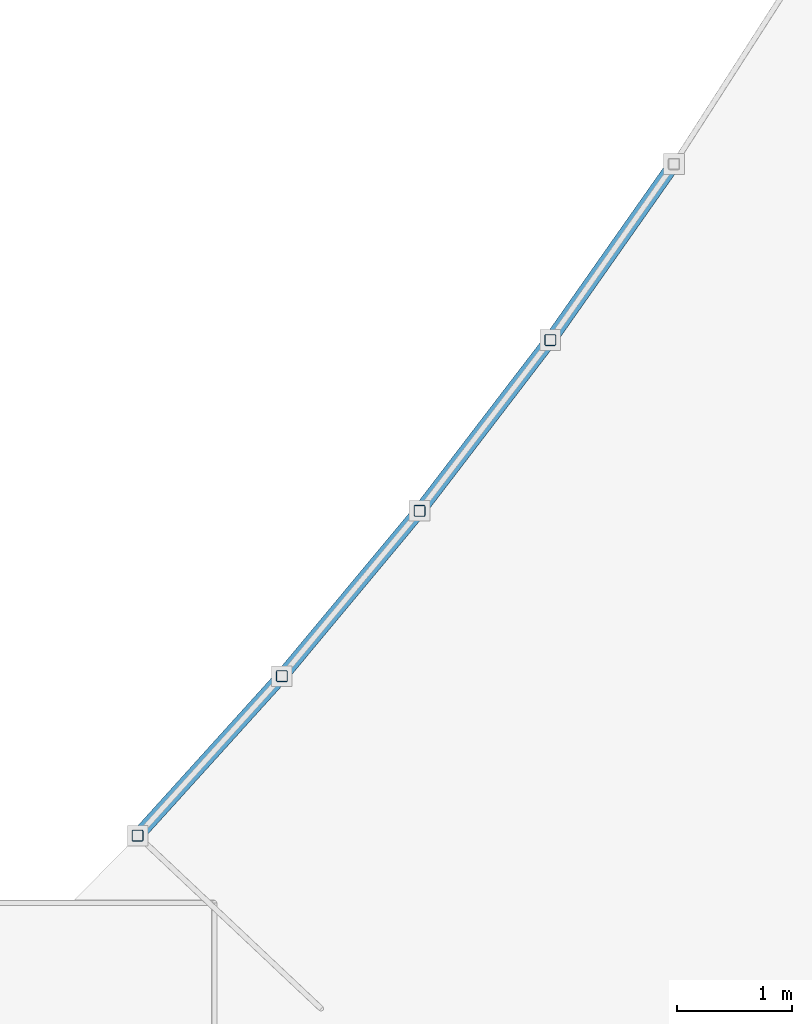
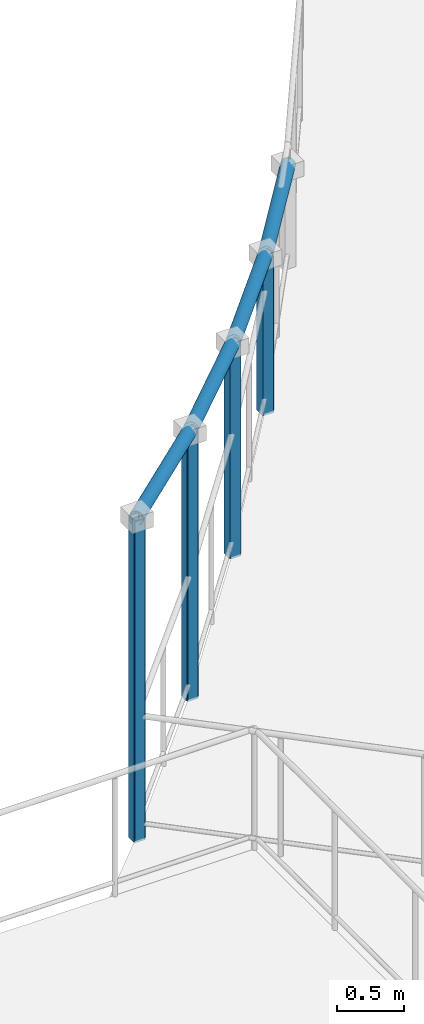
# One storey, part 8 of 58: 8 members.
"""IFC4 building model written with IfcOpenShell, lengths in metres."""

from ifc_helpers import new_model, si_unit, direction, frame, origin, origin_2d, place, context, subcontext, project, spatial, hollow_rectangle, hollow_circle, extrude, material, material_profile, profile_set, type_object, element, save


model = new_model("IFC4")

# Units and contexts
model_context = context("Model", 3, precision=1e-05, world=origin(), true_north=direction((0.0, 1.0)))
body_context = subcontext(model_context, "Body", "Model", "MODEL_VIEW")
ifc_project = project(units=[si_unit("LENGTHUNIT", "METRE"), si_unit("AREAUNIT", "SQUARE_METRE"), si_unit("VOLUMEUNIT", "CUBIC_METRE"), si_unit("PLANEANGLEUNIT", "RADIAN"), si_unit("MASSUNIT", "GRAM", prefix="KILO"), si_unit("POWERUNIT", "WATT"), si_unit("THERMODYNAMICTEMPERATUREUNIT", "KELVIN")], contexts=[model_context])

# Site, building, storey
site_placement = place(None, origin())
site = spatial("IfcSite", under=ifc_project, at=site_placement, CompositionType="ELEMENT")
building_placement = place(site_placement, origin())
building = spatial("IfcBuilding", under=site, at=building_placement, Name="Ruvembo Vaulted Housing Court", CompositionType="ELEMENT")
storey_placement = place(building_placement, frame((0.0, 0.0, 20.5)))
storey = spatial("IfcBuildingStorey", under=building, at=storey_placement, Name="L06", CompositionType="ELEMENT", Elevation=20.5)

# Members
ifc_material = material(Name="Steel S355J2", Category="steel")
ifc_material_profile_1 = material_profile(ifc_material, hollow_rectangle(XDim=0.10009765625, YDim=0.10009765625, WallThickness=0.00634765625, InnerFilletRadius=0.00634765625, OuterFilletRadius=0.0126953125, at=origin_2d()), Name="SHS 100x100x6.3")
ifc_profile_set_1 = profile_set([ifc_material_profile_1], Name="Steel S355J2")
member_type_1 = type_object("IfcMemberType", Name="MEM-FRM-SHS100", PredefinedType="STRUT", material=ifc_profile_set_1)
member_1_placement = place(storey_placement, frame((35.32958984375, 42.5869140625, -0.02001953125), z_axis=(0.0, 0.0, 1.0), x_axis=(1.0, 0.0, 0.0)))
element("IfcMember", 1, at=member_1_placement, inside=storey, type_object=member_type_1, Name="Scoop SC1 L06 Upswept Post 0A", PredefinedType="STRUT", context=body_context, shape_type="SweptSolid", body=[
    extrude(hollow_rectangle(XDim=0.10009765625, YDim=0.10009765625, WallThickness=0.00634765625, InnerFilletRadius=0.00634765625, OuterFilletRadius=0.0126953125, at=origin_2d()), origin(), (0.0, 0.0, 1.0), 2.919921875),
])
member_2_placement = place(storey_placement, frame((36.58837890625, 43.978759765625, -0.02001953125), z_axis=(0.0, 0.0, 1.0), x_axis=(1.0, 0.0, 0.0)))
element("IfcMember", 2, at=member_2_placement, inside=storey, type_object=member_type_1, Name="Scoop SC1 L06 Upswept Post 1A", PredefinedType="STRUT", context=body_context, shape_type="SweptSolid", body=[
    extrude(hollow_rectangle(XDim=0.10009765625, YDim=0.10009765625, WallThickness=0.00634765625, InnerFilletRadius=0.00634765625, OuterFilletRadius=0.0126953125, at=origin_2d()), origin(), (0.0, 0.0, 1.0), 2.419921875),
])
member_3_placement = place(storey_placement, frame((37.789306640625, 45.4208984375, -0.02001953125), z_axis=(0.0, 0.0, 1.0), x_axis=(1.0, 0.0, 0.0)))
element("IfcMember", 3, at=member_3_placement, inside=storey, type_object=member_type_1, Name="Scoop SC1 L06 Upswept Post 2A", PredefinedType="STRUT", context=body_context, shape_type="SweptSolid", body=[
    extrude(hollow_rectangle(XDim=0.10009765625, YDim=0.10009765625, WallThickness=0.00634765625, InnerFilletRadius=0.00634765625, OuterFilletRadius=0.0126953125, at=origin_2d()), origin(), (0.0, 0.0, 1.0), 1.919921875),
])
member_4_placement = place(storey_placement, frame((38.929931640625, 46.910888671875, -0.02001953125), z_axis=(0.0, 0.0, 1.0), x_axis=(1.0, 0.0, 0.0)))
element("IfcMember", 4, at=member_4_placement, inside=storey, type_object=member_type_1, Name="Scoop SC1 L06 Upswept Post 3A", PredefinedType="STRUT", context=body_context, shape_type="SweptSolid", body=[
    extrude(hollow_rectangle(XDim=0.10009765625, YDim=0.10009765625, WallThickness=0.00634765625, InnerFilletRadius=0.00634765625, OuterFilletRadius=0.0126953125, at=origin_2d()), origin(), (0.0, 0.0, 1.0), 1.419921875),
])
ifc_material_profile_2 = material_profile(ifc_material, hollow_circle(Radius=0.05712890625, WallThickness=0.00634765625, at=origin_2d()), Name="CHS 114.3x6.3")
ifc_profile_set_2 = profile_set([ifc_material_profile_2], Name="Steel S355J2")
member_type_2 = type_object("IfcMemberType", Name="MEM-STR-CHS114", PredefinedType="STRUT", material=ifc_profile_set_2)
member_5_placement = place(storey_placement, frame((35.308837890625, 42.564208984375, 2.908203125), z_axis=(0.648221447793, 0.716621833384, -0.257414262501), x_axis=(-0.741613356407, 0.67082757069, 0.0)))
element("IfcMember", 5, at=member_5_placement, inside=storey, type_object=member_type_2, Name="Scoop SC1 L06 Upswept Crest Tube 0", PredefinedType="STRUT", context=body_context, shape_type="SweptSolid", body=[
    extrude(hollow_circle(Radius=0.05712890625, WallThickness=0.00634765625, at=origin_2d()), origin(), (0.0, 0.0, 1.0), 2.005859375),
])
for number, where, z_axis, x_axis, name in (
    (6, (36.568603515625, 43.954833984375, 2.408203125), (0.618328840042, 0.742578740787, -0.257383486851), (-0.76846896744, 0.639887057286, 0.0), "Scoop SC1 L06 Upswept Crest Tube 1"),
    (7, (37.7705078125, 45.396240234375, 1.908203125), (0.587330120386, 0.767326234776, -0.257398094616), (-0.794082487603, 0.607810005579, 0.0), "Scoop SC1 L06 Upswept Crest Tube 2"),
    (8, (38.912109375, 46.8857421875, 1.408203125), (0.555537577973, 0.79065227691, -0.257384880047), (-0.818218915786, 0.574906780139, 0.0), "Scoop SC1 L06 Upswept Crest Tube 3"),
):
    element("IfcMember", number, at=place(storey_placement, frame(where, z_axis=z_axis, x_axis=x_axis)), inside=storey, type_object=member_type_2, Name=name, PredefinedType="STRUT", context=body_context, shape_type="SweptSolid", body=[
        extrude(hollow_circle(Radius=0.05712890625, WallThickness=0.00634765625, at=origin_2d()), origin(), (0.0, 0.0, 1.0), 2.006103515625),
    ])

save(model, "model.ifc")
